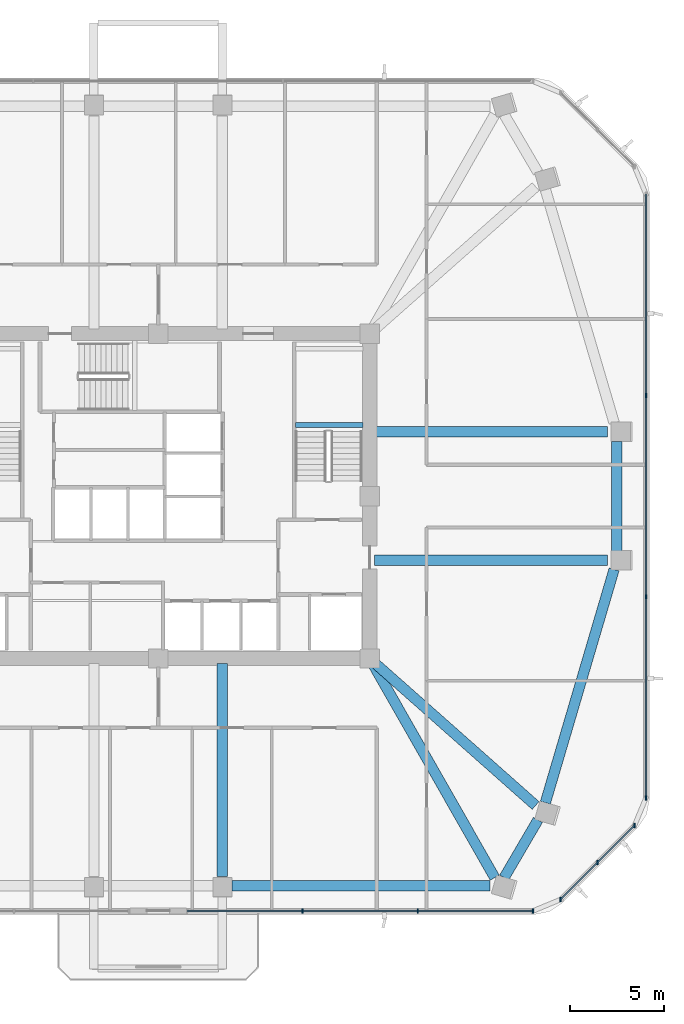
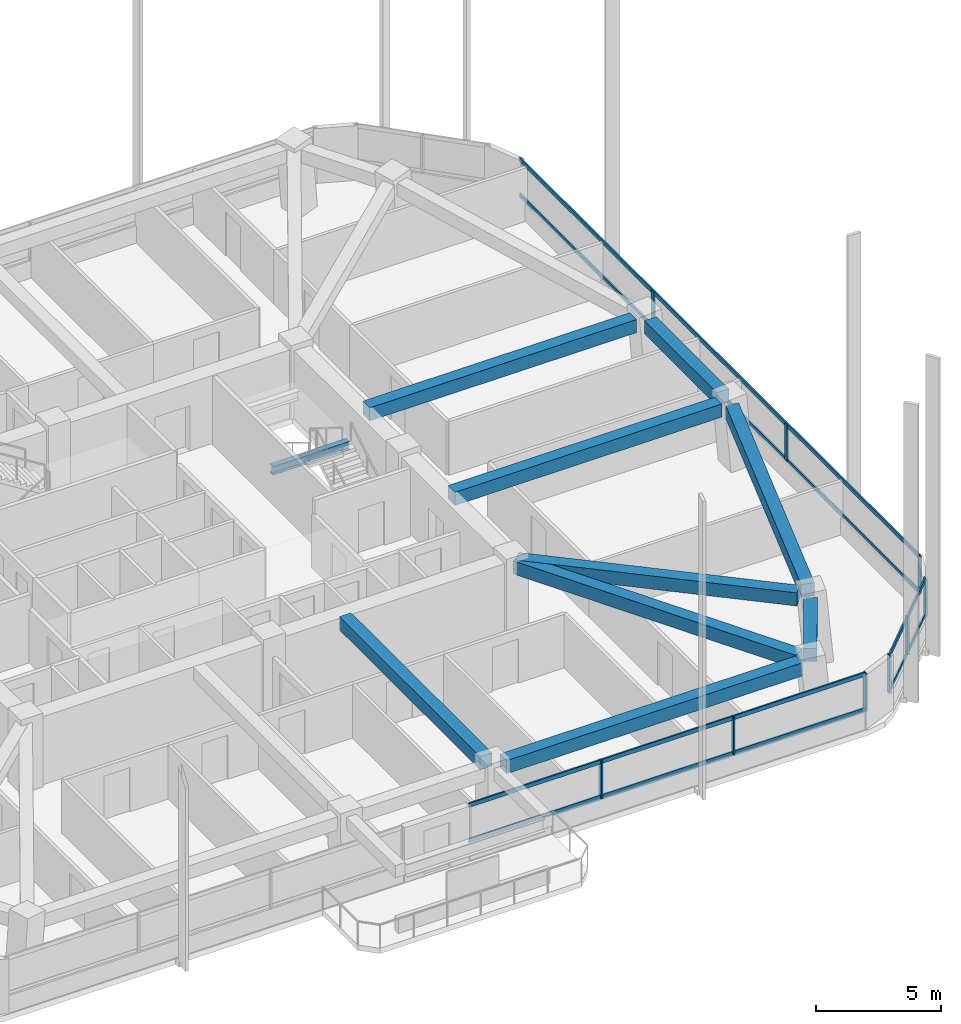
# One storey, part 3 of 15: 15 members, 10 beams, 3 elements without a shape of their own.
"""IFC4 building model written with IfcOpenShell, lengths in metres."""

from ifc_helpers import new_model, si_unit, derived_unit, direction, frame, origin, origin_2d, place, context, subcontext, project, spatial, rectangle, i_section, extrude, material, material_profile, profile_set, type_object, element, aggregate, save


model = new_model("IFC4")

# Units and contexts
model_context = context("Model", 3, precision=1e-05, world=origin(), true_north=direction((0.0, 1.0)))
body_context = subcontext(model_context, "Body", "Model", "MODEL_VIEW")
ifc_project = project(units=[si_unit("LENGTHUNIT", "METRE"), si_unit("AREAUNIT", "SQUARE_METRE"), si_unit("VOLUMEUNIT", "CUBIC_METRE"), si_unit("PLANEANGLEUNIT", "RADIAN"), si_unit("MASSUNIT", "GRAM", prefix="KILO"), derived_unit("THERMALTRANSMITTANCEUNIT", [(si_unit("POWERUNIT", "WATT"), 1), (si_unit("LENGTHUNIT", "METRE"), -2), (si_unit("THERMODYNAMICTEMPERATUREUNIT", "KELVIN"), -1)])], contexts=[model_context])

# Site, building, storey
site_placement = place(None, origin())
site = spatial("IfcSite", under=ifc_project, at=site_placement, CompositionType="ELEMENT")
building_placement = place(site_placement, origin())
building = spatial("IfcBuilding", under=site, at=building_placement, Name="Koralith Skygarden Medical Center", CompositionType="ELEMENT")
storey_placement = place(building_placement, frame((0.0, 0.0, 99.179931640625)))
storey = spatial("IfcBuildingStorey", under=building, at=storey_placement, Name="L25", CompositionType="ELEMENT", Elevation=99.179931640625)

# Curtain wall, members
ifc_material_1 = material(Name="Clear Laminated Glass", Category="glass")
curtain_wall_type = type_object("IfcCurtainWallType", Name="CW-3 Zone 2 Faceted Solar Curtain Wall", PredefinedType="NOTDEFINED", material=ifc_material_1)
curtain_wall_1_placement = place(storey_placement, origin())
curtain_wall_1 = element("IfcCurtainWall", 1, at=curtain_wall_1_placement, inside=storey, type_object=curtain_wall_type, Name="Curtain Wall CW-L25-S-R", PredefinedType="NOTDEFINED")
ifc_material_2 = material(Name="Aluminium 6063-T6", Category="aluminium")
ifc_material_profile_1 = material_profile(ifc_material_2, rectangle(XDim=0.073974609375, YDim=0.219970703125, at=origin_2d()), Name="MUL74X220")
ifc_profile_set_1 = profile_set([ifc_material_profile_1], Name="Aluminium 6063-T6")
member_type_1 = type_object("IfcMemberType", Name="CW-3 Extruded Mullion 74x220", PredefinedType="MULLION", material=ifc_profile_set_1)
member_1_placement = place(storey_placement, frame((44.638916015625, 3.945068359375, 0.85009765625), z_axis=(0.0, 0.0, 1.0), x_axis=(1.0, 0.0, 0.0)))
member_1 = element("IfcMember", 2, at=member_1_placement, type_object=member_type_1, Name="CW-L25-S-R Mullion 2", PredefinedType="MULLION", context=body_context, shape_type="SweptSolid", body=[
    extrude(rectangle(XDim=0.073974609375, YDim=0.219970703125, at=origin_2d()), origin(), (0.0, 0.0, 1.0), 1.820068359375),
])
member_2_placement = place(storey_placement, frame((50.738037109375, 3.945068359375, 0.85009765625), z_axis=(0.0, 0.0, 1.0), x_axis=(1.0, 0.0, 0.0)))
member_2 = element("IfcMember", 3, at=member_2_placement, type_object=member_type_1, Name="CW-L25-S-R Mullion 3", PredefinedType="MULLION", context=body_context, shape_type="SweptSolid", body=[
    extrude(rectangle(XDim=0.073974609375, YDim=0.219970703125, at=origin_2d()), origin(), (0.0, 0.0, 1.0), 1.820068359375),
])
member_3_placement = place(storey_placement, frame((56.837890625, 3.945068359375, 0.85009765625), z_axis=(0.0, 0.0, 1.0), x_axis=(1.0, 0.0, 0.0)))
member_3 = element("IfcMember", 4, at=member_3_placement, type_object=member_type_1, Name="CW-L25-S-R Mullion 4", PredefinedType="MULLION", context=body_context, shape_type="SweptSolid", body=[
    extrude(rectangle(XDim=0.073974609375, YDim=0.219970703125, at=origin_2d()), origin(), (0.0, 0.0, 1.0), 1.820068359375),
])

curtain_wall_2_placement = place(storey_placement, origin())
curtain_wall_2 = element("IfcCurtainWall", 5, at=curtain_wall_2_placement, inside=storey, type_object=curtain_wall_type, Name="Curtain Wall CW-L25-SE", PredefinedType="NOTDEFINED")
member_4_placement = place(storey_placement, frame((58.2890625, 4.547119140625, 0.85009765625), z_axis=(0.0, 0.0, 1.0), x_axis=(1.0, 0.0, 0.0)))
member_4 = element("IfcMember", 6, at=member_4_placement, type_object=member_type_1, Name="CW-L25-SE Mullion 1", PredefinedType="MULLION", context=body_context, shape_type="SweptSolid", body=[
    extrude(rectangle(XDim=0.073974609375, YDim=0.219970703125, at=origin_2d()), origin(), (0.0, 0.0, 1.0), 1.820068359375),
])
member_5_placement = place(storey_placement, frame((60.2509765625, 6.508056640625, 0.85009765625), z_axis=(0.0, 0.0, 1.0), x_axis=(1.0, 0.0, 0.0)))
member_5 = element("IfcMember", 7, at=member_5_placement, type_object=member_type_1, Name="CW-L25-SE Mullion 2", PredefinedType="MULLION", context=body_context, shape_type="SweptSolid", body=[
    extrude(rectangle(XDim=0.073974609375, YDim=0.219970703125, at=origin_2d()), origin(), (0.0, 0.0, 1.0), 1.820068359375),
])
member_6_placement = place(storey_placement, frame((62.2119140625, 8.469970703125, 0.85009765625), z_axis=(0.0, 0.0, 1.0), x_axis=(1.0, 0.0, 0.0)))
member_6 = element("IfcMember", 8, at=member_6_placement, type_object=member_type_1, Name="CW-L25-SE Mullion 3", PredefinedType="MULLION", context=body_context, shape_type="SweptSolid", body=[
    extrude(rectangle(XDim=0.073974609375, YDim=0.219970703125, at=origin_2d()), origin(), (0.0, 0.0, 1.0), 1.820068359375),
])

curtain_wall_3_placement = place(storey_placement, origin())
curtain_wall_3 = element("IfcCurtainWall", 9, at=curtain_wall_3_placement, inside=storey, type_object=curtain_wall_type, Name="Curtain Wall CW-L25-E", PredefinedType="NOTDEFINED")
member_7_placement = place(storey_placement, frame((62.81298828125, 9.9208984375, 0.85009765625), z_axis=(0.0, 0.0, 1.0), x_axis=(1.0, 0.0, 0.0)))
member_7 = element("IfcMember", 10, at=member_7_placement, type_object=member_type_1, Name="CW-L25-E Mullion 1", PredefinedType="MULLION", context=body_context, shape_type="SweptSolid", body=[
    extrude(rectangle(XDim=0.073974609375, YDim=0.219970703125, at=origin_2d()), origin(), (0.0, 0.0, 1.0), 1.820068359375),
])
member_8_placement = place(storey_placement, frame((62.81298828125, 20.573974609375, 0.85009765625), z_axis=(0.0, 0.0, 1.0), x_axis=(1.0, 0.0, 0.0)))
member_8 = element("IfcMember", 11, at=member_8_placement, type_object=member_type_1, Name="CW-L25-E Mullion 2", PredefinedType="MULLION", context=body_context, shape_type="SweptSolid", body=[
    extrude(rectangle(XDim=0.073974609375, YDim=0.219970703125, at=origin_2d()), origin(), (0.0, 0.0, 1.0), 1.820068359375),
])
member_9_placement = place(storey_placement, frame((62.81298828125, 31.22607421875, 0.85009765625), z_axis=(0.0, 0.0, 1.0), x_axis=(1.0, 0.0, 0.0)))
member_9 = element("IfcMember", 12, at=member_9_placement, type_object=member_type_1, Name="CW-L25-E Mullion 3", PredefinedType="MULLION", context=body_context, shape_type="SweptSolid", body=[
    extrude(rectangle(XDim=0.073974609375, YDim=0.219970703125, at=origin_2d()), origin(), (0.0, 0.0, 1.0), 1.820068359375),
])

# Member
ifc_material_profile_2 = material_profile(ifc_material_2, rectangle(XDim=0.069091796875, YDim=0.197998046875, at=origin_2d()), Name="TRN69X198")
ifc_profile_set_2 = profile_set([ifc_material_profile_2], Name="Aluminium 6063-T6")
member_type_2 = type_object("IfcMemberType", Name="CW-3 Thermal Transom 69x198", PredefinedType="USERDEFINED", material=ifc_profile_set_2)
member_10_placement = place(storey_placement, frame((38.5390625, 3.945068359375, 0.900146484375), z_axis=(1.0, 0.0, 0.0), x_axis=(0.0, 1.0, 0.0)))
member_10 = element("IfcMember", 13, at=member_10_placement, type_object=member_type_2, Name="CW-L25-S-R Transom 1", ObjectType="TRANSOM", PredefinedType="USERDEFINED", context=body_context, shape_type="SweptSolid", body=[
    extrude(rectangle(XDim=0.069091796875, YDim=0.197998046875, at=origin_2d()), origin(), (0.0, 0.0, 1.0), 18.298828125),
])

member_11_placement = place(storey_placement, frame((38.5390625, 3.945068359375, 2.6201171875), z_axis=(1.0, 0.0, 0.0), x_axis=(0.0, 1.0, 0.0)))
member_11 = element("IfcMember", 14, at=member_11_placement, type_object=member_type_2, Name="CW-L25-S-R Transom 2", ObjectType="TRANSOM", PredefinedType="USERDEFINED", context=body_context, shape_type="SweptSolid", body=[
    extrude(rectangle(XDim=0.069091796875, YDim=0.197998046875, at=origin_2d()), origin(), (0.0, 0.0, 1.0), 18.298828125),
])

aggregate(curtain_wall_1, [member_1, member_2, member_3, member_10, member_11])

member_12_placement = place(storey_placement, frame((58.2890625, 4.547119140625, 0.900146484375), z_axis=(0.707106781187, 0.707106781187, 0.0), x_axis=(-0.707106781187, 0.707106781187, 0.0)))
member_12 = element("IfcMember", 15, at=member_12_placement, type_object=member_type_2, Name="CW-L25-SE Transom 1", ObjectType="TRANSOM", PredefinedType="USERDEFINED", context=body_context, shape_type="SweptSolid", body=[
    extrude(rectangle(XDim=0.069091796875, YDim=0.197998046875, at=origin_2d()), origin(), (0.0, 0.0, 1.0), 5.5478515625),
])

member_13_placement = place(storey_placement, frame((58.2890625, 4.547119140625, 2.6201171875), z_axis=(0.707106781187, 0.707106781187, 0.0), x_axis=(-0.707106781187, 0.707106781187, 0.0)))
member_13 = element("IfcMember", 16, at=member_13_placement, type_object=member_type_2, Name="CW-L25-SE Transom 2", ObjectType="TRANSOM", PredefinedType="USERDEFINED", context=body_context, shape_type="SweptSolid", body=[
    extrude(rectangle(XDim=0.069091796875, YDim=0.197998046875, at=origin_2d()), origin(), (0.0, 0.0, 1.0), 5.5478515625),
])

aggregate(curtain_wall_2, [member_4, member_5, member_6, member_12, member_13])

member_14_placement = place(storey_placement, frame((62.81298828125, 9.9208984375, 0.900146484375), z_axis=(0.0, 1.0, 0.0), x_axis=(-1.0, 0.0, 0.0)))
member_14 = element("IfcMember", 17, at=member_14_placement, type_object=member_type_2, Name="CW-L25-E Transom 1", ObjectType="TRANSOM", PredefinedType="USERDEFINED", context=body_context, shape_type="SweptSolid", body=[
    extrude(rectangle(XDim=0.069091796875, YDim=0.197998046875, at=origin_2d()), origin(), (0.0, 0.0, 1.0), 31.9580078125),
])

member_15_placement = place(storey_placement, frame((62.81298828125, 9.9208984375, 2.6201171875), z_axis=(0.0, 1.0, 0.0), x_axis=(-1.0, 0.0, 0.0)))
member_15 = element("IfcMember", 18, at=member_15_placement, type_object=member_type_2, Name="CW-L25-E Transom 2", ObjectType="TRANSOM", PredefinedType="USERDEFINED", context=body_context, shape_type="SweptSolid", body=[
    extrude(rectangle(XDim=0.069091796875, YDim=0.197998046875, at=origin_2d()), origin(), (0.0, 0.0, 1.0), 31.9580078125),
])

aggregate(curtain_wall_3, [member_7, member_8, member_9, member_14, member_15])

# Beams
ifc_material_3 = material(Name="Steel ASTM A992 Grade 50", Category="steel")
ifc_material_profile_3 = material_profile(ifc_material_3, i_section(OverallWidth=0.260009765625, OverallDepth=0.4150390625, WebThickness=0.010009765625, FlangeThickness=0.016845703125, at=origin_2d()), Name="W16X67")
ifc_profile_set_3 = profile_set([ifc_material_profile_3], Name="Steel ASTM A992 Grade 50")
beam_type_1 = type_object("IfcBeamType", Name="Clinical Floor Joist W16X67", PredefinedType="JOIST", material=ifc_profile_set_3)
beam_1_placement = place(storey_placement, frame((44.280029296875, 29.659912109375, 1.39306640625), z_axis=(1.0, 0.0, 0.0), x_axis=(0.0, 1.0, 0.0)))
element("IfcBeam", 19, at=beam_1_placement, inside=storey, type_object=beam_type_1, Name="L25 Stair ST2 Half-Landing Support Beam 1A", PredefinedType="JOIST", context=body_context, shape_type="SweptSolid", body=[
    extrude(i_section(OverallWidth=0.260009765625, OverallDepth=0.4150390625, WebThickness=0.010009765625, FlangeThickness=0.016845703125, at=origin_2d()), origin(), (0.0, 0.0, 1.0), 3.56494140625),
])
ifc_material_4 = material(Name="Concrete C45/55", Category="concrete")
ifc_material_profile_4 = material_profile(ifc_material_4, rectangle(XDim=0.550048828125, YDim=0.639892578125, at=origin_2d()), Name="RCB550X640")
ifc_profile_set_4 = profile_set([ifc_material_profile_4], Name="Concrete C45/55")
beam_type_2 = type_object("IfcBeamType", Name="Radial Collector Beam RCB550X640", PredefinedType="BEAM", material=ifc_profile_set_4)
beam_2_placement = place(storey_placement, frame((40.39990234375, 17.050048828125, 3.0), z_axis=(0.0, -1.0, 0.0), x_axis=(1.0, 0.0, 0.0)))
element("IfcBeam", 20, at=beam_2_placement, inside=storey, type_object=beam_type_2, Name="L25 Radial Collector Beam RB-05", PredefinedType="BEAM", context=body_context, shape_type="SweptSolid", body=[
    extrude(rectangle(XDim=0.550048828125, YDim=0.639892578125, at=origin_2d()), origin(), (0.0, 0.0, 1.0), 11.276123046875),
])
beam_3_placement = place(storey_placement, frame((48.323974609375, 17.0830078125, 3.0), z_axis=(0.495393850048, -0.868668482987, 0.0), x_axis=(0.868668482987, 0.495393850048, 0.0)))
element("IfcBeam", 21, at=beam_3_placement, inside=storey, type_object=beam_type_2, Name="L25 Radial Collector Beam RB-06", PredefinedType="BEAM", context=body_context, shape_type="SweptSolid", body=[
    extrude(rectangle(XDim=0.550048828125, YDim=0.639892578125, at=origin_2d()), origin(), (0.0, 0.0, 1.0), 13.0947265625),
])
beam_4_placement = place(storey_placement, frame((48.386962890625, 17.134033203125, 3.0), z_axis=(0.748597231664, -0.663025025731, 0.0), x_axis=(0.663025025731, 0.748597231664, 0.0)))
element("IfcBeam", 22, at=beam_4_placement, inside=storey, type_object=beam_type_2, Name="L25 Radial Collector Beam RB-07", PredefinedType="BEAM", context=body_context, shape_type="SweptSolid", body=[
    extrude(rectangle(XDim=0.550048828125, YDim=0.639892578125, at=origin_2d()), origin(), (0.0, 0.0, 1.0), 11.474853515625),
])
for number, where, z_axis, x_axis, name in (
    (23, (48.449951171875, 22.5, 3.0), (1.0, 0.0, 0.0), (0.0, 1.0, 0.0), "L25 Radial Collector Beam RB-08"),
    (24, (48.449951171875, 29.300048828125, 3.0), (1.0, 0.0, 0.0), (0.0, 1.0, 0.0), "L25 Radial Collector Beam RB-09"),
):
    element("IfcBeam", number, at=place(storey_placement, frame(where, z_axis=z_axis, x_axis=x_axis)), inside=storey, type_object=beam_type_2, Name=name, PredefinedType="BEAM", context=body_context, shape_type="SweptSolid", body=[
        extrude(rectangle(XDim=0.550048828125, YDim=0.639892578125, at=origin_2d()), origin(), (0.0, 0.0, 1.0), 12.321044921875),
    ])
ifc_material_profile_5 = material_profile(ifc_material_4, rectangle(XDim=0.550048828125, YDim=0.639892578125, at=origin_2d()), Name="RCB550X640")
ifc_profile_set_5 = profile_set([ifc_material_profile_5], Name="Concrete C45/55")
beam_type_3 = type_object("IfcBeamType", Name="Zone 2-3 Spandrel Beam RCB550X640", PredefinedType="SPANDREL", material=ifc_profile_set_5)
beam_5_placement = place(storey_placement, frame((40.89990234375, 5.27392578125, 3.0), z_axis=(1.0, 0.0, 0.0), x_axis=(0.0, 1.0, 0.0)))
element("IfcBeam", 25, at=beam_5_placement, inside=storey, type_object=beam_type_3, Name="L25 Perimeter Spandrel Beam SP-05", PredefinedType="SPANDREL", context=body_context, shape_type="SweptSolid", body=[
    extrude(rectangle(XDim=0.550048828125, YDim=0.639892578125, at=origin_2d()), origin(), (0.0, 0.0, 1.0), 13.6591796875),
])
beam_6_placement = place(storey_placement, frame((55.31103515625, 5.7060546875, 3.0), z_axis=(0.50502386975, 0.863105376523, 0.0), x_axis=(-0.863105376523, 0.50502386975, 0.0)))
element("IfcBeam", 26, at=beam_6_placement, inside=storey, type_object=beam_type_3, Name="L25 Perimeter Spandrel Beam SP-06", PredefinedType="SPANDREL", context=body_context, shape_type="SweptSolid", body=[
    extrude(rectangle(XDim=0.550048828125, YDim=0.639892578125, at=origin_2d()), origin(), (0.0, 0.0, 1.0), 3.54052734375),
])
beam_7_placement = place(storey_placement, frame((57.491943359375, 9.674072265625, 3.0), z_axis=(0.282651014076, 0.959222812616, 0.0), x_axis=(-0.959222812616, 0.282651014076, 0.0)))
element("IfcBeam", 27, at=beam_7_placement, inside=storey, type_object=beam_type_3, Name="L25 Perimeter Spandrel Beam SP-07", PredefinedType="SPANDREL", context=body_context, shape_type="SweptSolid", body=[
    extrude(rectangle(XDim=0.550048828125, YDim=0.639892578125, at=origin_2d()), origin(), (0.0, 0.0, 1.0), 12.870849609375),
])
beam_8_placement = place(storey_placement, frame((61.27099609375, 23.0, 3.0), z_axis=(0.0, 1.0, 0.0), x_axis=(-1.0, 0.0, 0.0)))
element("IfcBeam", 28, at=beam_8_placement, inside=storey, type_object=beam_type_3, Name="L25 Perimeter Spandrel Beam SP-08", PredefinedType="SPANDREL", context=body_context, shape_type="SweptSolid", body=[
    extrude(rectangle(XDim=0.550048828125, YDim=0.639892578125, at=origin_2d()), origin(), (0.0, 0.0, 1.0), 5.800048828125),
])

save(model, "model.ifc")
